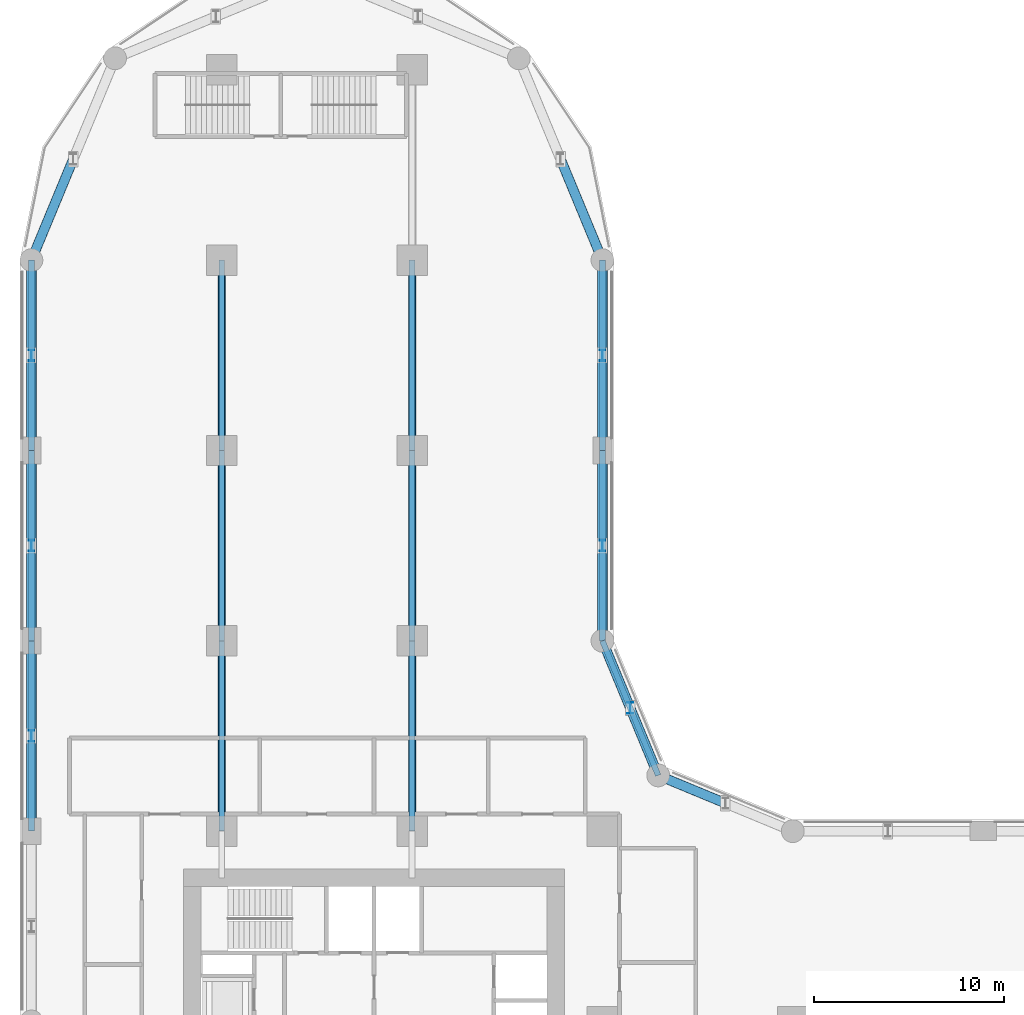
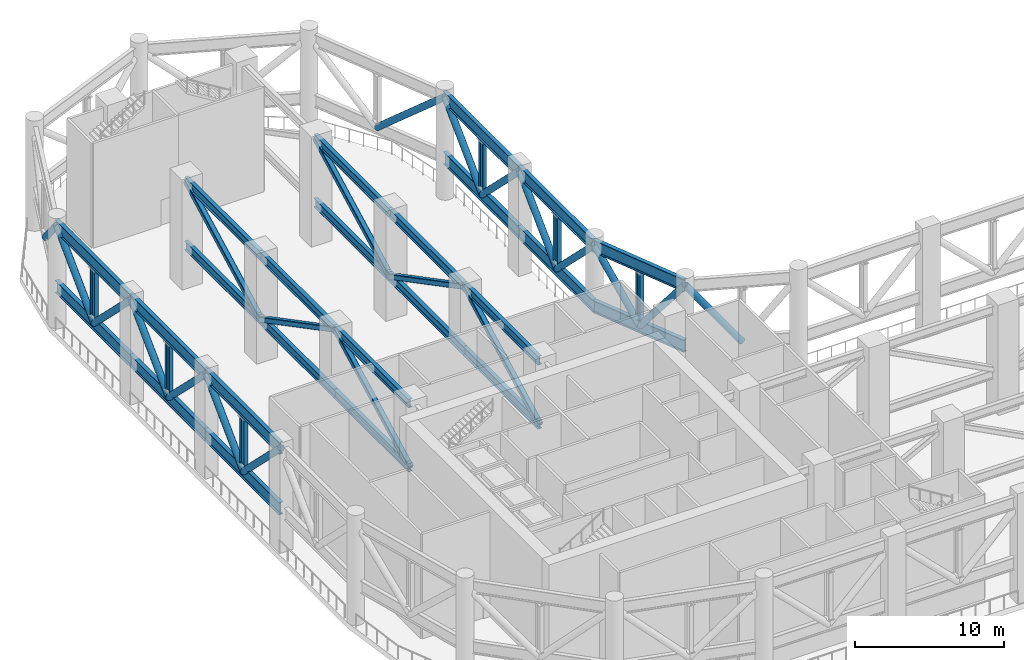
# One storey, part 4 of 14: 51 members.
"""IFC4 building model written with IfcOpenShell, lengths in metres."""

from ifc_helpers import new_model, si_unit, direction, frame, origin, origin_2d, place, context, subcontext, project, spatial, hollow_rectangle, hollow_circle, i_section, extrude, material, material_profile, profile_set, type_object, element, save


model = new_model("IFC4")

# Units and contexts
model_context = context("Model", 3, precision=1e-05, world=origin(), true_north=direction((0.0, 1.0)))
body_context = subcontext(model_context, "Body", "Model", "MODEL_VIEW")
ifc_project = project(units=[si_unit("LENGTHUNIT", "METRE"), si_unit("AREAUNIT", "SQUARE_METRE"), si_unit("VOLUMEUNIT", "CUBIC_METRE"), si_unit("PLANEANGLEUNIT", "RADIAN"), si_unit("MASSUNIT", "GRAM", prefix="KILO")], contexts=[model_context])

# Site, building, storey
site_placement = place(None, origin())
site = spatial("IfcSite", under=ifc_project, at=site_placement, CompositionType="ELEMENT")
building_placement = place(site_placement, origin())
building = spatial("IfcBuilding", under=site, at=building_placement, Name="Qaws Garden Tower", CompositionType="ELEMENT")
storey_placement = place(building_placement, frame((0.0, 0.0, 117.300048828125)))
storey = spatial("IfcBuildingStorey", under=building, at=storey_placement, Name="L29", CompositionType="ELEMENT", Elevation=117.300048828125)

# Members
ifc_material_1 = material(Name="Steel S355", Category="steel")
ifc_material_profile_1 = material_profile(ifc_material_1, i_section(OverallWidth=0.302001953125, OverallDepth=1.008056640625, WebThickness=0.02099609375, FlangeThickness=0.0400390625, FilletRadius=0.030029296875, at=origin_2d()), Name="HEM 1000")
ifc_profile_set_1 = profile_set([ifc_material_profile_1], Name="Steel S355")
member_type_1 = type_object("IfcMemberType", Name="Belt chord HEM 1000", PredefinedType="CHORD", material=ifc_profile_set_1)
for number, where, z_axis, x_axis, name in (
    (1, (32.928955078125, 32.928955078125, 8.0458984375), (-0.382687042488, 0.923878037141, 0.0), (-0.923878037141, -0.382687042488, 0.0), "Belt truss top chord 13"),
    (2, (32.928955078125, 32.928955078125, 3.10400390625), (-0.382687042488, 0.923878037141, 0.0), (-0.923878037141, -0.382687042488, 0.0), "Belt truss bottom chord 13"),
):
    element("IfcMember", number, at=place(storey_placement, frame(where, z_axis=z_axis, x_axis=x_axis)), inside=storey, type_object=member_type_1, Name=name, PredefinedType="CHORD", context=body_context, shape_type="SweptSolid", body=[
        extrude(i_section(OverallWidth=0.302001953125, OverallDepth=1.008056640625, WebThickness=0.02099609375, FlangeThickness=0.0400390625, FilletRadius=0.030029296875, at=origin_2d()), origin(), (0.0, 0.0, 1.0), 7.653564453125),
    ])
for number, where, z_axis, x_axis, name in (
    (3, (30.0, 40.0, 8.0458984375), (0.0, 1.0, 0.0), (-1.0, 0.0, 0.0), "Belt truss top chord 14"),
    (4, (30.0, 40.0, 3.10400390625), (0.0, 1.0, 0.0), (-1.0, 0.0, 0.0), "Belt truss bottom chord 14"),
    (5, (30.0, 50.0, 8.0458984375), (0.0, 1.0, 0.0), (-1.0, 0.0, 0.0), "Belt truss top chord 15"),
    (6, (30.0, 50.0, 3.10400390625), (0.0, 1.0, 0.0), (-1.0, 0.0, 0.0), "Belt truss bottom chord 15"),
    (7, (0.0, 60.0, 8.0458984375), (0.0, -1.0, 0.0), (1.0, 0.0, 0.0), "Belt truss top chord 20"),
    (8, (0.0, 60.0, 3.10400390625), (0.0, -1.0, 0.0), (1.0, 0.0, 0.0), "Belt truss bottom chord 20"),
    (9, (0.0, 50.0, 8.0458984375), (0.0, -1.0, 0.0), (1.0, 0.0, 0.0), "Belt truss top chord 21"),
    (10, (0.0, 50.0, 3.10400390625), (0.0, -1.0, 0.0), (1.0, 0.0, 0.0), "Belt truss bottom chord 21"),
    (11, (0.0, 40.0, 8.0458984375), (0.0, -1.0, 0.0), (1.0, 0.0, 0.0), "Belt truss top chord 22"),
    (12, (0.0, 40.0, 3.10400390625), (0.0, -1.0, 0.0), (1.0, 0.0, 0.0), "Belt truss bottom chord 22"),
):
    element("IfcMember", number, at=place(storey_placement, frame(where, z_axis=z_axis, x_axis=x_axis)), inside=storey, type_object=member_type_1, Name=name, PredefinedType="CHORD", context=body_context, shape_type="SweptSolid", body=[
        extrude(i_section(OverallWidth=0.302001953125, OverallDepth=1.008056640625, WebThickness=0.02099609375, FlangeThickness=0.0400390625, FilletRadius=0.030029296875, at=origin_2d()), origin(), (0.0, 0.0, 1.0), 10.0),
    ])
ifc_material_2 = material(Name="Steel S355", Category="steel")
ifc_material_profile_2 = material_profile(ifc_material_2, hollow_circle(Radius=0.25390625, WallThickness=0.02490234375, at=origin_2d()), Name="CHS 508x25")
ifc_profile_set_2 = profile_set([ifc_material_profile_2], Name="Steel S355")
member_type_2 = type_object("IfcMemberType", Name="Belt diagonal CHS 508x25", PredefinedType="BRACE", material=ifc_profile_set_2)
for number, where, z_axis, x_axis, name in (
    (13, (36.46435546875, 31.46435546875, 3.10400390625), (-0.565635613132, 0.234324151866, 0.790663357573), (-0.38272554779, -0.923862086606, 0.0), "Belt truss diagonal 12b"),
    (14, (32.928955078125, 32.928955078125, 8.0458984375), (-0.234324151866, 0.565635613132, -0.790663357573), (-0.923862086606, -0.38272554779, 0.0), "Belt truss diagonal 13a"),
):
    element("IfcMember", number, at=place(storey_placement, frame(where, z_axis=z_axis, x_axis=x_axis)), inside=storey, type_object=member_type_2, Name=name, PredefinedType="BRACE", context=body_context, shape_type="SweptSolid", body=[
        extrude(hollow_circle(Radius=0.25390625, WallThickness=0.02490234375, at=origin_2d()), origin(), (0.0, 0.0, 1.0), 6.250244140625),
    ])
member_1_placement = place(storey_placement, frame((31.46435546875, 36.46435546875, 3.10400390625), z_axis=(-0.234282059102, 0.565667352436, 0.79065312443), x_axis=(-0.92389398552, -0.382648537851, 0.0)))
element("IfcMember", 15, at=member_1_placement, inside=storey, type_object=member_type_2, Name="Belt truss diagonal 13b", PredefinedType="BRACE", context=body_context, shape_type="SweptSolid", body=[
    extrude(hollow_circle(Radius=0.25390625, WallThickness=0.02490234375, at=origin_2d()), origin(), (0.0, 0.0, 1.0), 6.25048828125),
])
for number, where, z_axis, x_axis, name in (
    (16, (30.0, 40.0, 8.0458984375), (0.0, 0.711227324435, -0.702962085021), (-1.0, 0.0, 0.0), "Belt truss diagonal 14a"),
    (17, (30.0, 45.0, 3.10400390625), (0.0, 0.711227324435, 0.702962085021), (-1.0, 0.0, 0.0), "Belt truss diagonal 14b"),
    (18, (30.0, 50.0, 8.0458984375), (0.0, 0.711227324435, -0.702962085021), (-1.0, 0.0, 0.0), "Belt truss diagonal 15a"),
    (19, (30.0, 55.0, 3.10400390625), (0.0, 0.711227324435, 0.702962085021), (-1.0, 0.0, 0.0), "Belt truss diagonal 15b"),
):
    element("IfcMember", number, at=place(storey_placement, frame(where, z_axis=z_axis, x_axis=x_axis)), inside=storey, type_object=member_type_2, Name=name, PredefinedType="BRACE", context=body_context, shape_type="SweptSolid", body=[
        extrude(hollow_circle(Radius=0.25390625, WallThickness=0.02490234375, at=origin_2d()), origin(), (0.0, 0.0, 1.0), 7.030029296875),
    ])
for number, where, z_axis, x_axis, name in (
    (20, (30.0, 60.0, 8.0458984375), (-0.290024591818, 0.700146052841, -0.652442519179), (-0.923872720536, -0.382699877515, 0.0), "Belt truss diagonal 16a"),
    (21, (2.19677734375, 65.30322265625, 3.10400390625), (-0.290024591818, -0.700146052841, 0.652442519179), (0.923872720536, -0.382699877515, 0.0), "Belt truss diagonal 19b"),
):
    element("IfcMember", number, at=place(storey_placement, frame(where, z_axis=z_axis, x_axis=x_axis)), inside=storey, type_object=member_type_2, Name=name, PredefinedType="BRACE", context=body_context, shape_type="SweptSolid", body=[
        extrude(hollow_circle(Radius=0.25390625, WallThickness=0.02490234375, at=origin_2d()), origin(), (0.0, 0.0, 1.0), 7.574462890625),
    ])
for number, where, z_axis, x_axis, name in (
    (22, (0.0, 60.0, 8.0458984375), (0.0, -0.711227324435, -0.702962085021), (1.0, 0.0, 0.0), "Belt truss diagonal 20a"),
    (23, (0.0, 55.0, 3.10400390625), (0.0, -0.711227324435, 0.702962085021), (1.0, 0.0, 0.0), "Belt truss diagonal 20b"),
    (24, (0.0, 50.0, 8.0458984375), (0.0, -0.711227324435, -0.702962085021), (1.0, 0.0, 0.0), "Belt truss diagonal 21a"),
    (25, (0.0, 45.0, 3.10400390625), (0.0, -0.711227324435, 0.702962085021), (1.0, 0.0, 0.0), "Belt truss diagonal 21b"),
    (26, (0.0, 40.0, 8.0458984375), (0.0, -0.711227324435, -0.702962085021), (1.0, 0.0, 0.0), "Belt truss diagonal 22a"),
    (27, (0.0, 35.0, 3.10400390625), (0.0, -0.711227324435, 0.702962085021), (1.0, 0.0, 0.0), "Belt truss diagonal 22b"),
):
    element("IfcMember", number, at=place(storey_placement, frame(where, z_axis=z_axis, x_axis=x_axis)), inside=storey, type_object=member_type_2, Name=name, PredefinedType="BRACE", context=body_context, shape_type="SweptSolid", body=[
        extrude(hollow_circle(Radius=0.25390625, WallThickness=0.02490234375, at=origin_2d()), origin(), (0.0, 0.0, 1.0), 7.030029296875),
    ])
ifc_material_3 = material(Name="Steel S355", Category="steel")
ifc_material_profile_3 = material_profile(ifc_material_3, i_section(OverallWidth=0.300048828125, OverallDepth=0.60009765625, WebThickness=0.015380859375, FlangeThickness=0.030029296875, FilletRadius=0.027099609375, at=origin_2d()), Name="HEB 600")
ifc_profile_set_3 = profile_set([ifc_material_profile_3], Name="Steel S355")
member_type_3 = type_object("IfcMemberType", Name="Belt post HEB 600", PredefinedType="POST", material=ifc_profile_set_3)
member_2_placement = place(storey_placement, frame((31.46435546875, 36.46435546875, 3.60791015625), z_axis=(0.0, 0.0, 1.0), x_axis=(1.0, 0.0, 0.0)))
element("IfcMember", 28, at=member_2_placement, inside=storey, type_object=member_type_3, Name="Belt truss post 13", PredefinedType="POST", context=body_context, shape_type="SweptSolid", body=[
    extrude(i_section(OverallWidth=0.300048828125, OverallDepth=0.60009765625, WebThickness=0.015380859375, FlangeThickness=0.030029296875, FilletRadius=0.027099609375, at=origin_2d()), origin(), (0.0, 0.0, 1.0), 3.93408203125),
])
member_3_placement = place(storey_placement, frame((30.0, 45.0, 3.60791015625), z_axis=(0.0, 0.0, 1.0), x_axis=(1.0, 0.0, 0.0)))
element("IfcMember", 29, at=member_3_placement, inside=storey, type_object=member_type_3, Name="Belt truss post 14", PredefinedType="POST", context=body_context, shape_type="SweptSolid", body=[
    extrude(i_section(OverallWidth=0.300048828125, OverallDepth=0.60009765625, WebThickness=0.015380859375, FlangeThickness=0.030029296875, FilletRadius=0.027099609375, at=origin_2d()), origin(), (0.0, 0.0, 1.0), 3.93408203125),
])
member_4_placement = place(storey_placement, frame((30.0, 55.0, 3.60791015625), z_axis=(0.0, 0.0, 1.0), x_axis=(1.0, 0.0, 0.0)))
element("IfcMember", 30, at=member_4_placement, inside=storey, type_object=member_type_3, Name="Belt truss post 15", PredefinedType="POST", context=body_context, shape_type="SweptSolid", body=[
    extrude(i_section(OverallWidth=0.300048828125, OverallDepth=0.60009765625, WebThickness=0.015380859375, FlangeThickness=0.030029296875, FilletRadius=0.027099609375, at=origin_2d()), origin(), (0.0, 0.0, 1.0), 3.93408203125),
])
member_5_placement = place(storey_placement, frame((0.0, 55.0, 3.60791015625), z_axis=(0.0, 0.0, 1.0), x_axis=(1.0, 0.0, 0.0)))
element("IfcMember", 31, at=member_5_placement, inside=storey, type_object=member_type_3, Name="Belt truss post 20", PredefinedType="POST", context=body_context, shape_type="SweptSolid", body=[
    extrude(i_section(OverallWidth=0.300048828125, OverallDepth=0.60009765625, WebThickness=0.015380859375, FlangeThickness=0.030029296875, FilletRadius=0.027099609375, at=origin_2d()), origin(), (0.0, 0.0, 1.0), 3.93408203125),
])
member_6_placement = place(storey_placement, frame((0.0, 45.0, 3.60791015625), z_axis=(0.0, 0.0, 1.0), x_axis=(1.0, 0.0, 0.0)))
element("IfcMember", 32, at=member_6_placement, inside=storey, type_object=member_type_3, Name="Belt truss post 21", PredefinedType="POST", context=body_context, shape_type="SweptSolid", body=[
    extrude(i_section(OverallWidth=0.300048828125, OverallDepth=0.60009765625, WebThickness=0.015380859375, FlangeThickness=0.030029296875, FilletRadius=0.027099609375, at=origin_2d()), origin(), (0.0, 0.0, 1.0), 3.93408203125),
])
member_7_placement = place(storey_placement, frame((0.0, 35.0, 3.60791015625), z_axis=(0.0, 0.0, 1.0), x_axis=(1.0, 0.0, 0.0)))
element("IfcMember", 33, at=member_7_placement, inside=storey, type_object=member_type_3, Name="Belt truss post 22", PredefinedType="POST", context=body_context, shape_type="SweptSolid", body=[
    extrude(i_section(OverallWidth=0.300048828125, OverallDepth=0.60009765625, WebThickness=0.015380859375, FlangeThickness=0.030029296875, FilletRadius=0.027099609375, at=origin_2d()), origin(), (0.0, 0.0, 1.0), 3.93408203125),
])
ifc_material_4 = material(Name="Steel S355", Category="steel")
ifc_material_profile_4 = material_profile(ifc_material_4, i_section(OverallWidth=0.303955078125, OverallDepth=0.716064453125, WebThickness=0.02099609375, FlangeThickness=0.0400390625, FilletRadius=0.027099609375, at=origin_2d()), Name="HEM 700")
ifc_profile_set_4 = profile_set([ifc_material_profile_4], Name="Steel S355")
member_type_4 = type_object("IfcMemberType", Name="Outrigger chord HEM 700", PredefinedType="CHORD", material=ifc_profile_set_4)
for number, where, z_axis, x_axis, name in (
    (34, (10.0, 30.0, 8.19189453125), (0.0, 1.0, 0.0), (-1.0, 0.0, 0.0), "Outrigger 3 top chord 2"),
    (35, (10.0, 30.0, 2.9580078125), (0.0, 1.0, 0.0), (-1.0, 0.0, 0.0), "Outrigger 3 bottom chord 2"),
    (36, (10.0, 40.0, 8.19189453125), (0.0, 1.0, 0.0), (-1.0, 0.0, 0.0), "Outrigger 3 top chord 3"),
    (37, (10.0, 40.0, 2.9580078125), (0.0, 1.0, 0.0), (-1.0, 0.0, 0.0), "Outrigger 3 bottom chord 3"),
    (38, (10.0, 50.0, 8.19189453125), (0.0, 1.0, 0.0), (-1.0, 0.0, 0.0), "Outrigger 3 top chord 4"),
    (39, (10.0, 50.0, 2.9580078125), (0.0, 1.0, 0.0), (-1.0, 0.0, 0.0), "Outrigger 3 bottom chord 4"),
    (40, (20.0, 30.0, 8.19189453125), (0.0, 1.0, 0.0), (-1.0, 0.0, 0.0), "Outrigger 4 top chord 2"),
    (41, (20.0, 30.0, 2.9580078125), (0.0, 1.0, 0.0), (-1.0, 0.0, 0.0), "Outrigger 4 bottom chord 2"),
    (42, (20.0, 40.0, 8.19189453125), (0.0, 1.0, 0.0), (-1.0, 0.0, 0.0), "Outrigger 4 top chord 3"),
    (43, (20.0, 40.0, 2.9580078125), (0.0, 1.0, 0.0), (-1.0, 0.0, 0.0), "Outrigger 4 bottom chord 3"),
    (44, (20.0, 50.0, 8.19189453125), (0.0, 1.0, 0.0), (-1.0, 0.0, 0.0), "Outrigger 4 top chord 4"),
    (45, (20.0, 50.0, 2.9580078125), (0.0, 1.0, 0.0), (-1.0, 0.0, 0.0), "Outrigger 4 bottom chord 4"),
):
    element("IfcMember", number, at=place(storey_placement, frame(where, z_axis=z_axis, x_axis=x_axis)), inside=storey, type_object=member_type_4, Name=name, PredefinedType="CHORD", context=body_context, shape_type="SweptSolid", body=[
        extrude(i_section(OverallWidth=0.303955078125, OverallDepth=0.716064453125, WebThickness=0.02099609375, FlangeThickness=0.0400390625, FilletRadius=0.027099609375, at=origin_2d()), origin(), (0.0, 0.0, 1.0), 10.0),
    ])
ifc_material_5 = material(Name="Steel S355", Category="steel")
ifc_material_profile_5 = material_profile(ifc_material_5, hollow_rectangle(XDim=0.39990234375, YDim=0.39990234375, WallThickness=0.02490234375, InnerFilletRadius=0.03759765625, OuterFilletRadius=0.0625, at=origin_2d()), Name="SHS 400x400x25")
ifc_profile_set_5 = profile_set([ifc_material_profile_5], Name="Steel S355")
member_type_5 = type_object("IfcMemberType", Name="Outrigger diagonal SHS 400x400x25", PredefinedType="BRACE", material=ifc_profile_set_5)
for number, where, z_axis, x_axis, name in (
    (46, (10.0, 30.0, 2.9580078125), (0.0, 0.885984747812, 0.463714380459), (-1.0, 0.0, 0.0), "Outrigger 3 diagonal 2"),
    (47, (10.0, 40.0, 8.19189453125), (0.0, 0.885984747812, -0.463714380459), (-1.0, 0.0, 0.0), "Outrigger 3 diagonal 3"),
    (48, (10.0, 50.0, 2.9580078125), (0.0, 0.885984747812, 0.463714380459), (-1.0, 0.0, 0.0), "Outrigger 3 diagonal 4"),
    (49, (20.0, 30.0, 2.9580078125), (0.0, 0.885984747812, 0.463714380459), (-1.0, 0.0, 0.0), "Outrigger 4 diagonal 2"),
    (50, (20.0, 40.0, 8.19189453125), (0.0, 0.885984747812, -0.463714380459), (-1.0, 0.0, 0.0), "Outrigger 4 diagonal 3"),
    (51, (20.0, 50.0, 2.9580078125), (0.0, 0.885984747812, 0.463714380459), (-1.0, 0.0, 0.0), "Outrigger 4 diagonal 4"),
):
    element("IfcMember", number, at=place(storey_placement, frame(where, z_axis=z_axis, x_axis=x_axis)), inside=storey, type_object=member_type_5, Name=name, PredefinedType="BRACE", context=body_context, shape_type="SweptSolid", body=[
        extrude(hollow_rectangle(XDim=0.39990234375, YDim=0.39990234375, WallThickness=0.02490234375, InnerFilletRadius=0.03759765625, OuterFilletRadius=0.0625, at=origin_2d()), origin(), (0.0, 0.0, 1.0), 11.286865234375),
    ])

save(model, "model.ifc")
